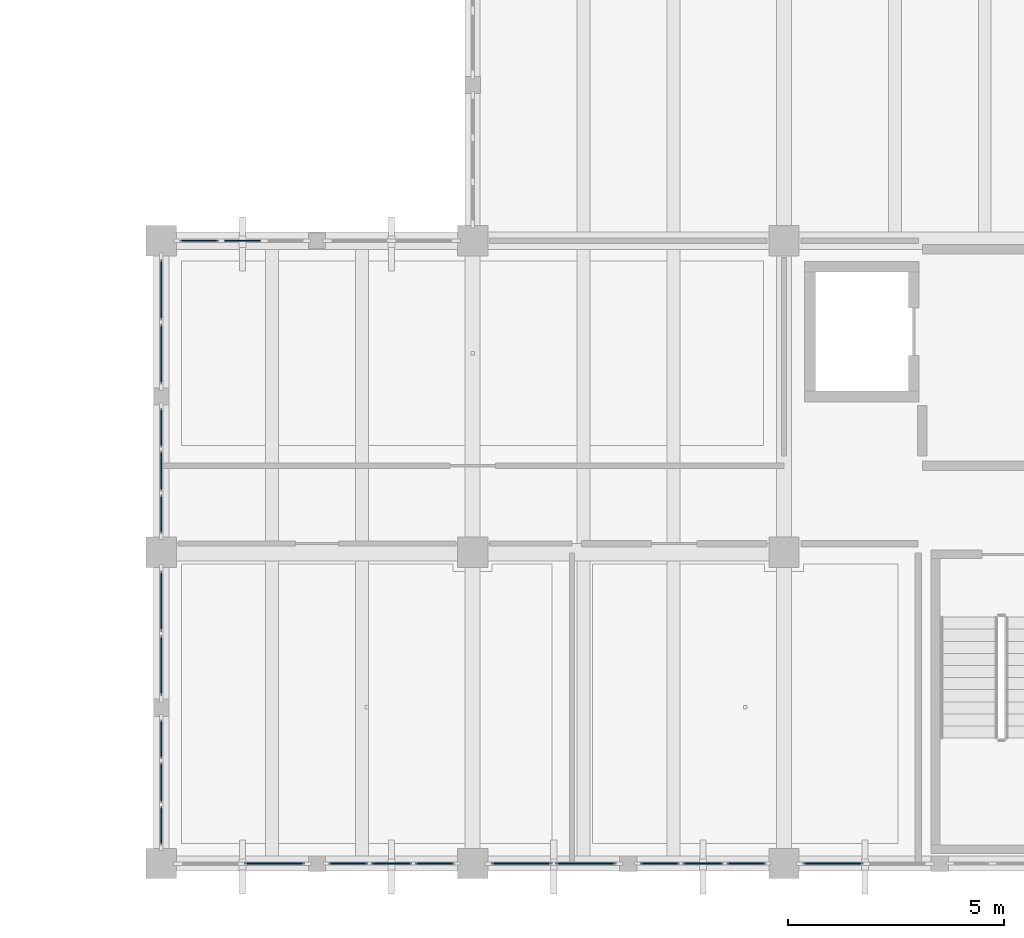
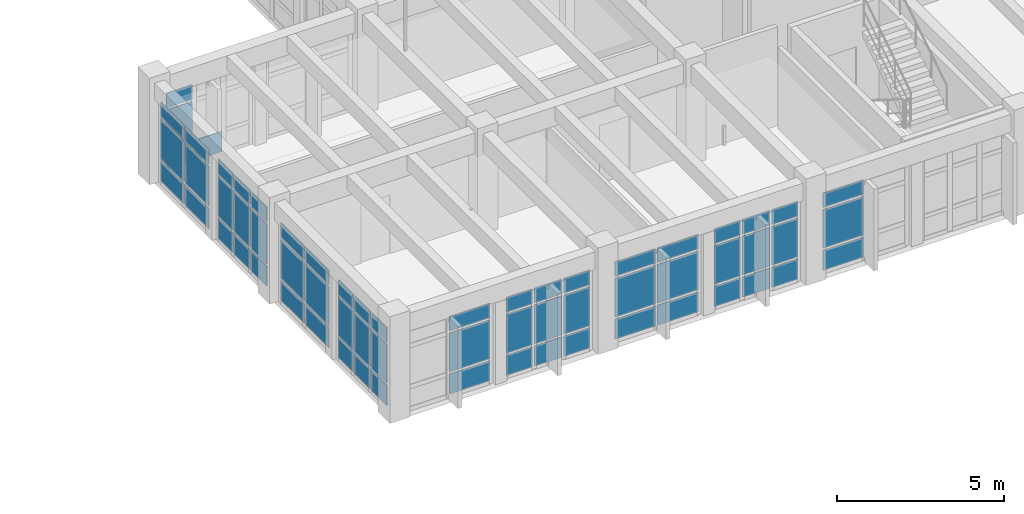
# One storey, part 25 of 54: 64 plates, 10 elements without a shape of their own.
"""IFC4 building model written with IfcOpenShell, lengths in metres."""

from ifc_helpers import new_model, si_unit, direction, frame, origin, origin_2d, place, context, subcontext, project, spatial, rectangle, extrude, material, layer, layer_set, type_object, element, aggregate, save


model = new_model("IFC4")

# Units and contexts
model_context = context("Model", 3, precision=1e-05, world=origin(), true_north=direction((0.0, 1.0)))
body_context = subcontext(model_context, "Body", "Model", "MODEL_VIEW")
ifc_project = project(units=[si_unit("LENGTHUNIT", "METRE"), si_unit("AREAUNIT", "SQUARE_METRE"), si_unit("VOLUMEUNIT", "CUBIC_METRE"), si_unit("PLANEANGLEUNIT", "RADIAN"), si_unit("MASSUNIT", "GRAM", prefix="KILO")], contexts=[model_context])

# Site, building, storey
site_placement = place(None, origin())
site = spatial("IfcSite", under=ifc_project, at=site_placement, CompositionType="ELEMENT")
building_placement = place(site_placement, origin())
building = spatial("IfcBuilding", under=site, at=building_placement, Name="Koriwan Promenade Central Fire Station", CompositionType="ELEMENT")
storey_placement = place(building_placement, frame((0.0, 0.0, 9.60009765625)))
storey = spatial("IfcBuildingStorey", under=building, at=storey_placement, Name="L02", CompositionType="ELEMENT", Elevation=9.60009765625)

# Curtain wall, plates
ifc_material_1 = material(Name="Aluminium EN AW-6063-T6 and low-E glazing", Category="aluminium")
ifc_layer_1 = layer(ifc_material_1, 0.159912109375, Name="Aluminium EN AW-6063-T6 and low-E glazing")
ifc_layer_set_1 = layer_set([ifc_layer_1], Name="Aluminium EN AW-6063-T6 and low-E glazing")
curtain_wall_type_1 = type_object("IfcCurtainWallType", Name="CurtainWall_10_305x299", PredefinedType="USERDEFINED", material=ifc_layer_set_1)
curtain_wall_1_placement = place(storey_placement, origin())
curtain_wall_1 = element("IfcCurtainWall", 1, at=curtain_wall_1_placement, inside=storey, type_object=curtain_wall_type_1, Name="V5 L02 unitised curtain wall 212", ObjectType="UNITISED CURTAIN WALL", PredefinedType="USERDEFINED")
ifc_material_2 = material(Name="Low-E laminated double glazing", Category="glass")
ifc_layer_2 = layer(ifc_material_2, 0.028076171875, Name="Low-E laminated double glazing")
ifc_layer_set_2 = layer_set([ifc_layer_2], Name="Low-E laminated double glazing")
plate_type_1 = type_object("IfcPlateType", Name="CWPanel_28", PredefinedType="CURTAIN_PANEL", material=ifc_layer_set_2)
plate_1_placement = place(storey_placement, frame((159.532470703125, 0.0, 0.079833984375), z_axis=(0.0, 0.0, 1.0), x_axis=(-1.0, 0.0, 0.0)))
plate_1 = element("IfcPlate", 2, at=plate_1_placement, type_object=plate_type_1, Name="CW-10 panel 2.1", PredefinedType="CURTAIN_PANEL", context=body_context, shape_type="SweptSolid", body=[
    extrude(rectangle(XDim=1.405029296875, YDim=0.028076171875, at=origin_2d()), origin(), (0.0, 0.0, 1.0), 0.72998046875),
])
plate_2_placement = place(storey_placement, frame((159.532470703125, 0.0, 0.89013671875), z_axis=(0.0, 0.0, 1.0), x_axis=(-1.0, 0.0, 0.0)))
plate_2 = element("IfcPlate", 3, at=plate_2_placement, type_object=plate_type_1, Name="CW-10 panel 2.2", PredefinedType="CURTAIN_PANEL", context=body_context, shape_type="SweptSolid", body=[
    extrude(rectangle(XDim=1.405029296875, YDim=0.028076171875, at=origin_2d()), origin(), (0.0, 0.0, 1.0), 1.409912109375),
])
plate_3_placement = place(storey_placement, frame((159.532470703125, 0.0, 2.3798828125), z_axis=(0.0, 0.0, 1.0), x_axis=(-1.0, 0.0, 0.0)))
plate_3 = element("IfcPlate", 4, at=plate_3_placement, type_object=plate_type_1, Name="CW-10 panel 2.3", PredefinedType="CURTAIN_PANEL", context=body_context, shape_type="SweptSolid", body=[
    extrude(rectangle(XDim=1.405029296875, YDim=0.028076171875, at=origin_2d()), origin(), (0.0, 0.0, 1.0), 0.530029296875),
])
aggregate(curtain_wall_1, [plate_1, plate_2, plate_3])

curtain_wall_2_placement = place(storey_placement, origin())
curtain_wall_2 = element("IfcCurtainWall", 5, at=curtain_wall_2_placement, inside=storey, type_object=curtain_wall_type_1, Name="V5 L02 unitised curtain wall 214", ObjectType="UNITISED CURTAIN WALL", PredefinedType="USERDEFINED")
plate_4_placement = place(storey_placement, frame((153.8173828125, 0.0, 0.079833984375), z_axis=(0.0, 0.0, 1.0), x_axis=(-1.0, 0.0, 0.0)))
plate_4 = element("IfcPlate", 6, at=plate_4_placement, type_object=plate_type_1, Name="CW-10 panel 1.1", PredefinedType="CURTAIN_PANEL", context=body_context, shape_type="SweptSolid", body=[
    extrude(rectangle(XDim=1.405029296875, YDim=0.028076171875, at=origin_2d()), origin(), (0.0, 0.0, 1.0), 0.72998046875),
])
plate_5_placement = place(storey_placement, frame((153.8173828125, 0.0, 0.89013671875), z_axis=(0.0, 0.0, 1.0), x_axis=(-1.0, 0.0, 0.0)))
plate_5 = element("IfcPlate", 7, at=plate_5_placement, type_object=plate_type_1, Name="CW-10 panel 1.2", PredefinedType="CURTAIN_PANEL", context=body_context, shape_type="SweptSolid", body=[
    extrude(rectangle(XDim=1.405029296875, YDim=0.028076171875, at=origin_2d()), origin(), (0.0, 0.0, 1.0), 1.409912109375),
])
plate_6_placement = place(storey_placement, frame((153.8173828125, 0.0, 2.3798828125), z_axis=(0.0, 0.0, 1.0), x_axis=(-1.0, 0.0, 0.0)))
plate_6 = element("IfcPlate", 8, at=plate_6_placement, type_object=plate_type_1, Name="CW-10 panel 1.3", PredefinedType="CURTAIN_PANEL", context=body_context, shape_type="SweptSolid", body=[
    extrude(rectangle(XDim=1.405029296875, YDim=0.028076171875, at=origin_2d()), origin(), (0.0, 0.0, 1.0), 0.530029296875),
])
plate_7_placement = place(storey_placement, frame((152.33251953125, 0.0, 0.079833984375), z_axis=(0.0, 0.0, 1.0), x_axis=(-1.0, 0.0, 0.0)))
plate_7 = element("IfcPlate", 9, at=plate_7_placement, type_object=plate_type_1, Name="CW-10 panel 2.1", PredefinedType="CURTAIN_PANEL", context=body_context, shape_type="SweptSolid", body=[
    extrude(rectangle(XDim=1.405029296875, YDim=0.028076171875, at=origin_2d()), origin(), (0.0, 0.0, 1.0), 0.72998046875),
])
plate_8_placement = place(storey_placement, frame((152.33251953125, 0.0, 0.89013671875), z_axis=(0.0, 0.0, 1.0), x_axis=(-1.0, 0.0, 0.0)))
plate_8 = element("IfcPlate", 10, at=plate_8_placement, type_object=plate_type_1, Name="CW-10 panel 2.2", PredefinedType="CURTAIN_PANEL", context=body_context, shape_type="SweptSolid", body=[
    extrude(rectangle(XDim=1.405029296875, YDim=0.028076171875, at=origin_2d()), origin(), (0.0, 0.0, 1.0), 1.409912109375),
])
plate_9_placement = place(storey_placement, frame((152.33251953125, 0.0, 2.3798828125), z_axis=(0.0, 0.0, 1.0), x_axis=(-1.0, 0.0, 0.0)))
plate_9 = element("IfcPlate", 11, at=plate_9_placement, type_object=plate_type_1, Name="CW-10 panel 2.3", PredefinedType="CURTAIN_PANEL", context=body_context, shape_type="SweptSolid", body=[
    extrude(rectangle(XDim=1.405029296875, YDim=0.028076171875, at=origin_2d()), origin(), (0.0, 0.0, 1.0), 0.530029296875),
])
aggregate(curtain_wall_2, [plate_4, plate_5, plate_6, plate_7, plate_8, plate_9])

ifc_layer_3 = layer(ifc_material_1, 0.159912109375, Name="Aluminium EN AW-6063-T6 and low-E glazing")
ifc_layer_set_3 = layer_set([ifc_layer_3], Name="Aluminium EN AW-6063-T6 and low-E glazing")
curtain_wall_type_2 = type_object("IfcCurtainWallType", Name="CurtainWall_75_305x300", PredefinedType="USERDEFINED", material=ifc_layer_set_3)
curtain_wall_3_placement = place(storey_placement, origin())
curtain_wall_3 = element("IfcCurtainWall", 12, at=curtain_wall_3_placement, inside=storey, type_object=curtain_wall_type_2, Name="V5 L02 unitised curtain wall 216", ObjectType="UNITISED CURTAIN WALL", PredefinedType="USERDEFINED")
plate_10_placement = place(storey_placement, frame((146.617431640625, 0.0, 0.079833984375), z_axis=(0.0, 0.0, 1.0), x_axis=(-1.0, 0.0, 0.0)))
plate_10 = element("IfcPlate", 13, at=plate_10_placement, type_object=plate_type_1, Name="CW-75 panel 1.1", PredefinedType="CURTAIN_PANEL", context=body_context, shape_type="SweptSolid", body=[
    extrude(rectangle(XDim=1.405029296875, YDim=0.028076171875, at=origin_2d()), origin(), (0.0, 0.0, 1.0), 0.72998046875),
])
plate_11_placement = place(storey_placement, frame((146.617431640625, 0.0, 0.889892578125), z_axis=(0.0, 0.0, 1.0), x_axis=(-1.0, 0.0, 0.0)))
plate_11 = element("IfcPlate", 14, at=plate_11_placement, type_object=plate_type_1, Name="CW-75 panel 1.2", PredefinedType="CURTAIN_PANEL", context=body_context, shape_type="SweptSolid", body=[
    extrude(rectangle(XDim=1.405029296875, YDim=0.028076171875, at=origin_2d()), origin(), (0.0, 0.0, 1.0), 1.419921875),
])
plate_12_placement = place(storey_placement, frame((146.617431640625, 0.0, 2.3896484375), z_axis=(0.0, 0.0, 1.0), x_axis=(-1.0, 0.0, 0.0)))
plate_12 = element("IfcPlate", 15, at=plate_12_placement, type_object=plate_type_1, Name="CW-75 panel 1.3", PredefinedType="CURTAIN_PANEL", context=body_context, shape_type="SweptSolid", body=[
    extrude(rectangle(XDim=1.405029296875, YDim=0.028076171875, at=origin_2d()), origin(), (0.0, 0.0, 1.0), 0.530029296875),
])
aggregate(curtain_wall_3, [plate_10, plate_11, plate_12])

curtain_wall_4_placement = place(storey_placement, origin())
curtain_wall_4 = element("IfcCurtainWall", 16, at=curtain_wall_4_placement, inside=storey, type_object=curtain_wall_type_2, Name="V5 L02 unitised curtain wall 218", ObjectType="UNITISED CURTAIN WALL", PredefinedType="USERDEFINED")
plate_13_placement = place(storey_placement, frame((144.0, 4.58251953125, 0.079833984375), z_axis=(0.0, 0.0, 1.0), x_axis=(0.0, 1.0, 0.0)))
plate_13 = element("IfcPlate", 17, at=plate_13_placement, type_object=plate_type_1, Name="CW-75 panel 1.1", PredefinedType="CURTAIN_PANEL", context=body_context, shape_type="SweptSolid", body=[
    extrude(rectangle(XDim=1.405029296875, YDim=0.028076171875, at=origin_2d()), origin(), (0.0, 0.0, 1.0), 0.72998046875),
])
plate_14_placement = place(storey_placement, frame((144.0, 4.58251953125, 0.889892578125), z_axis=(0.0, 0.0, 1.0), x_axis=(0.0, 1.0, 0.0)))
plate_14 = element("IfcPlate", 18, at=plate_14_placement, type_object=plate_type_1, Name="CW-75 panel 1.2", PredefinedType="CURTAIN_PANEL", context=body_context, shape_type="SweptSolid", body=[
    extrude(rectangle(XDim=1.405029296875, YDim=0.028076171875, at=origin_2d()), origin(), (0.0, 0.0, 1.0), 1.419921875),
])
plate_15_placement = place(storey_placement, frame((144.0, 4.58251953125, 2.3896484375), z_axis=(0.0, 0.0, 1.0), x_axis=(0.0, 1.0, 0.0)))
plate_15 = element("IfcPlate", 19, at=plate_15_placement, type_object=plate_type_1, Name="CW-75 panel 1.3", PredefinedType="CURTAIN_PANEL", context=body_context, shape_type="SweptSolid", body=[
    extrude(rectangle(XDim=1.405029296875, YDim=0.028076171875, at=origin_2d()), origin(), (0.0, 0.0, 1.0), 0.530029296875),
])
plate_16_placement = place(storey_placement, frame((144.0, 6.0673828125, 0.079833984375), z_axis=(0.0, 0.0, 1.0), x_axis=(0.0, 1.0, 0.0)))
plate_16 = element("IfcPlate", 20, at=plate_16_placement, type_object=plate_type_1, Name="CW-75 panel 2.1", PredefinedType="CURTAIN_PANEL", context=body_context, shape_type="SweptSolid", body=[
    extrude(rectangle(XDim=1.405029296875, YDim=0.028076171875, at=origin_2d()), origin(), (0.0, 0.0, 1.0), 0.72998046875),
])
plate_17_placement = place(storey_placement, frame((144.0, 6.0673828125, 0.889892578125), z_axis=(0.0, 0.0, 1.0), x_axis=(0.0, 1.0, 0.0)))
plate_17 = element("IfcPlate", 21, at=plate_17_placement, type_object=plate_type_1, Name="CW-75 panel 2.2", PredefinedType="CURTAIN_PANEL", context=body_context, shape_type="SweptSolid", body=[
    extrude(rectangle(XDim=1.405029296875, YDim=0.028076171875, at=origin_2d()), origin(), (0.0, 0.0, 1.0), 1.419921875),
])
plate_18_placement = place(storey_placement, frame((144.0, 6.0673828125, 2.3896484375), z_axis=(0.0, 0.0, 1.0), x_axis=(0.0, 1.0, 0.0)))
plate_18 = element("IfcPlate", 22, at=plate_18_placement, type_object=plate_type_1, Name="CW-75 panel 2.3", PredefinedType="CURTAIN_PANEL", context=body_context, shape_type="SweptSolid", body=[
    extrude(rectangle(XDim=1.405029296875, YDim=0.028076171875, at=origin_2d()), origin(), (0.0, 0.0, 1.0), 0.530029296875),
])
aggregate(curtain_wall_4, [plate_13, plate_14, plate_15, plate_16, plate_17, plate_18])

ifc_layer_4 = layer(ifc_material_1, 0.159912109375, Name="Aluminium EN AW-6063-T6 and low-E glazing")
ifc_layer_set_4 = layer_set([ifc_layer_4], Name="Aluminium EN AW-6063-T6 and low-E glazing")
curtain_wall_type_3 = type_object("IfcCurtainWallType", Name="CurtainWall_77_305x305", PredefinedType="USERDEFINED", material=ifc_layer_set_4)
curtain_wall_5_placement = place(storey_placement, origin())
curtain_wall_5 = element("IfcCurtainWall", 23, at=curtain_wall_5_placement, inside=storey, type_object=curtain_wall_type_3, Name="V5 L02 unitised curtain wall 220", ObjectType="UNITISED CURTAIN WALL", PredefinedType="USERDEFINED")
plate_19_placement = place(storey_placement, frame((144.0, 11.782470703125, 0.079833984375), z_axis=(0.0, 0.0, 1.0), x_axis=(0.0, 1.0, 0.0)))
plate_19 = element("IfcPlate", 24, at=plate_19_placement, type_object=plate_type_1, Name="CW-77 panel 1.1", PredefinedType="CURTAIN_PANEL", context=body_context, shape_type="SweptSolid", body=[
    extrude(rectangle(XDim=1.405029296875, YDim=0.028076171875, at=origin_2d()), origin(), (0.0, 0.0, 1.0), 0.72998046875),
])
plate_20_placement = place(storey_placement, frame((144.0, 11.782470703125, 0.89013671875), z_axis=(0.0, 0.0, 1.0), x_axis=(0.0, 1.0, 0.0)))
plate_20 = element("IfcPlate", 25, at=plate_20_placement, type_object=plate_type_1, Name="CW-77 panel 1.2", PredefinedType="CURTAIN_PANEL", context=body_context, shape_type="SweptSolid", body=[
    extrude(rectangle(XDim=1.405029296875, YDim=0.028076171875, at=origin_2d()), origin(), (0.0, 0.0, 1.0), 1.469970703125),
])
plate_21_placement = place(storey_placement, frame((144.0, 11.782470703125, 2.43994140625), z_axis=(0.0, 0.0, 1.0), x_axis=(0.0, 1.0, 0.0)))
plate_21 = element("IfcPlate", 26, at=plate_21_placement, type_object=plate_type_1, Name="CW-77 panel 1.3", PredefinedType="CURTAIN_PANEL", context=body_context, shape_type="SweptSolid", body=[
    extrude(rectangle(XDim=1.405029296875, YDim=0.028076171875, at=origin_2d()), origin(), (0.0, 0.0, 1.0), 0.530029296875),
])
plate_22_placement = place(storey_placement, frame((144.0, 13.267578125, 0.079833984375), z_axis=(0.0, 0.0, 1.0), x_axis=(0.0, 1.0, 0.0)))
plate_22 = element("IfcPlate", 27, at=plate_22_placement, type_object=plate_type_1, Name="CW-77 panel 2.1", PredefinedType="CURTAIN_PANEL", context=body_context, shape_type="SweptSolid", body=[
    extrude(rectangle(XDim=1.405029296875, YDim=0.028076171875, at=origin_2d()), origin(), (0.0, 0.0, 1.0), 0.72998046875),
])
plate_23_placement = place(storey_placement, frame((144.0, 13.267578125, 0.89013671875), z_axis=(0.0, 0.0, 1.0), x_axis=(0.0, 1.0, 0.0)))
plate_23 = element("IfcPlate", 28, at=plate_23_placement, type_object=plate_type_1, Name="CW-77 panel 2.2", PredefinedType="CURTAIN_PANEL", context=body_context, shape_type="SweptSolid", body=[
    extrude(rectangle(XDim=1.405029296875, YDim=0.028076171875, at=origin_2d()), origin(), (0.0, 0.0, 1.0), 1.469970703125),
])
plate_24_placement = place(storey_placement, frame((144.0, 13.267578125, 2.43994140625), z_axis=(0.0, 0.0, 1.0), x_axis=(0.0, 1.0, 0.0)))
plate_24 = element("IfcPlate", 29, at=plate_24_placement, type_object=plate_type_1, Name="CW-77 panel 2.3", PredefinedType="CURTAIN_PANEL", context=body_context, shape_type="SweptSolid", body=[
    extrude(rectangle(XDim=1.405029296875, YDim=0.028076171875, at=origin_2d()), origin(), (0.0, 0.0, 1.0), 0.530029296875),
])
aggregate(curtain_wall_5, [plate_19, plate_20, plate_21, plate_22, plate_23, plate_24])

ifc_layer_5 = layer(ifc_material_1, 0.159912109375, Name="Aluminium EN AW-6063-T6 and low-E glazing")
ifc_layer_set_5 = layer_set([ifc_layer_5], Name="Aluminium EN AW-6063-T6 and low-E glazing")
curtain_wall_type_4 = type_object("IfcCurtainWallType", Name="CurtainWall_73_305x299", PredefinedType="USERDEFINED", material=ifc_layer_set_5)
curtain_wall_6_placement = place(storey_placement, origin())
curtain_wall_6 = element("IfcCurtainWall", 30, at=curtain_wall_6_placement, inside=storey, type_object=curtain_wall_type_4, Name="V5 L02 unitised curtain wall 213", ObjectType="UNITISED CURTAIN WALL", PredefinedType="USERDEFINED")
ifc_material_3 = material(Name="Solar-control low-E acoustic glazing", Category="glass")
ifc_layer_6 = layer(ifc_material_3, 0.031982421875, Name="Solar-control low-E acoustic glazing")
ifc_layer_set_6 = layer_set([ifc_layer_6], Name="Solar-control low-E acoustic glazing")
plate_type_2 = type_object("IfcPlateType", Name="CWPanel_32", PredefinedType="CURTAIN_PANEL", material=ifc_layer_set_6)
plate_25_placement = place(storey_placement, frame((157.52294921875, 0.0, 0.07470703125), z_axis=(0.0, 0.0, 1.0), x_axis=(-1.0, 0.0, 0.0)))
plate_25 = element("IfcPlate", 31, at=plate_25_placement, type_object=plate_type_2, Name="CW-73 panel 1.1", PredefinedType="CURTAIN_PANEL", context=body_context, shape_type="SweptSolid", body=[
    extrude(rectangle(XDim=0.904052734375, YDim=0.031982421875, at=origin_2d()), origin(), (0.0, 0.0, 1.0), 0.737548828125),
])
plate_26_placement = place(storey_placement, frame((157.52294921875, 0.0, 0.887451171875), z_axis=(0.0, 0.0, 1.0), x_axis=(-1.0, 0.0, 0.0)))
plate_26 = element("IfcPlate", 32, at=plate_26_placement, type_object=plate_type_2, Name="CW-73 panel 1.2", PredefinedType="CURTAIN_PANEL", context=body_context, shape_type="SweptSolid", body=[
    extrude(rectangle(XDim=0.904052734375, YDim=0.031982421875, at=origin_2d()), origin(), (0.0, 0.0, 1.0), 1.4150390625),
])
plate_27_placement = place(storey_placement, frame((157.52294921875, 0.0, 2.37744140625), z_axis=(0.0, 0.0, 1.0), x_axis=(-1.0, 0.0, 0.0)))
plate_27 = element("IfcPlate", 33, at=plate_27_placement, type_object=plate_type_2, Name="CW-73 panel 1.3", PredefinedType="CURTAIN_PANEL", context=body_context, shape_type="SweptSolid", body=[
    extrude(rectangle(XDim=0.904052734375, YDim=0.031982421875, at=origin_2d()), origin(), (0.0, 0.0, 1.0), 0.53759765625),
])
plate_28_placement = place(storey_placement, frame((156.52490234375, 0.0, 0.07470703125), z_axis=(0.0, 0.0, 1.0), x_axis=(-1.0, 0.0, 0.0)))
plate_28 = element("IfcPlate", 34, at=plate_28_placement, type_object=plate_type_2, Name="CW-73 panel 2.1", PredefinedType="CURTAIN_PANEL", context=body_context, shape_type="SweptSolid", body=[
    extrude(rectangle(XDim=0.941650390625, YDim=0.031982421875, at=origin_2d()), origin(), (0.0, 0.0, 1.0), 0.737548828125),
])
plate_29_placement = place(storey_placement, frame((156.52490234375, 0.0, 0.887451171875), z_axis=(0.0, 0.0, 1.0), x_axis=(-1.0, 0.0, 0.0)))
plate_29 = element("IfcPlate", 35, at=plate_29_placement, type_object=plate_type_2, Name="CW-73 panel 2.2", PredefinedType="CURTAIN_PANEL", context=body_context, shape_type="SweptSolid", body=[
    extrude(rectangle(XDim=0.941650390625, YDim=0.031982421875, at=origin_2d()), origin(), (0.0, 0.0, 1.0), 1.4150390625),
])
plate_30_placement = place(storey_placement, frame((156.52490234375, 0.0, 2.37744140625), z_axis=(0.0, 0.0, 1.0), x_axis=(-1.0, 0.0, 0.0)))
plate_30 = element("IfcPlate", 36, at=plate_30_placement, type_object=plate_type_2, Name="CW-73 panel 2.3", PredefinedType="CURTAIN_PANEL", context=body_context, shape_type="SweptSolid", body=[
    extrude(rectangle(XDim=0.941650390625, YDim=0.031982421875, at=origin_2d()), origin(), (0.0, 0.0, 1.0), 0.53759765625),
])
plate_31_placement = place(storey_placement, frame((155.527099609375, 0.0, 0.07470703125), z_axis=(0.0, 0.0, 1.0), x_axis=(-1.0, 0.0, 0.0)))
plate_31 = element("IfcPlate", 37, at=plate_31_placement, type_object=plate_type_2, Name="CW-73 panel 3.1", PredefinedType="CURTAIN_PANEL", context=body_context, shape_type="SweptSolid", body=[
    extrude(rectangle(XDim=0.904052734375, YDim=0.031982421875, at=origin_2d()), origin(), (0.0, 0.0, 1.0), 0.737548828125),
])
plate_32_placement = place(storey_placement, frame((155.527099609375, 0.0, 0.887451171875), z_axis=(0.0, 0.0, 1.0), x_axis=(-1.0, 0.0, 0.0)))
plate_32 = element("IfcPlate", 38, at=plate_32_placement, type_object=plate_type_2, Name="CW-73 panel 3.2", PredefinedType="CURTAIN_PANEL", context=body_context, shape_type="SweptSolid", body=[
    extrude(rectangle(XDim=0.904052734375, YDim=0.031982421875, at=origin_2d()), origin(), (0.0, 0.0, 1.0), 1.4150390625),
])
plate_33_placement = place(storey_placement, frame((155.527099609375, 0.0, 2.37744140625), z_axis=(0.0, 0.0, 1.0), x_axis=(-1.0, 0.0, 0.0)))
plate_33 = element("IfcPlate", 39, at=plate_33_placement, type_object=plate_type_2, Name="CW-73 panel 3.3", PredefinedType="CURTAIN_PANEL", context=body_context, shape_type="SweptSolid", body=[
    extrude(rectangle(XDim=0.904052734375, YDim=0.031982421875, at=origin_2d()), origin(), (0.0, 0.0, 1.0), 0.53759765625),
])
aggregate(curtain_wall_6, [plate_25, plate_26, plate_27, plate_28, plate_29, plate_30, plate_31, plate_32, plate_33])

ifc_layer_7 = layer(ifc_material_1, 0.159912109375, Name="Aluminium EN AW-6063-T6 and low-E glazing")
ifc_layer_set_7 = layer_set([ifc_layer_7], Name="Aluminium EN AW-6063-T6 and low-E glazing")
curtain_wall_type_5 = type_object("IfcCurtainWallType", Name="CurtainWall_74_305x300", PredefinedType="USERDEFINED", material=ifc_layer_set_7)
curtain_wall_7_placement = place(storey_placement, origin())
curtain_wall_7 = element("IfcCurtainWall", 40, at=curtain_wall_7_placement, inside=storey, type_object=curtain_wall_type_5, Name="V5 L02 unitised curtain wall 215", ObjectType="UNITISED CURTAIN WALL", PredefinedType="USERDEFINED")
plate_34_placement = place(storey_placement, frame((150.322998046875, 0.0, 0.07470703125), z_axis=(0.0, 0.0, 1.0), x_axis=(-1.0, 0.0, 0.0)))
plate_34 = element("IfcPlate", 41, at=plate_34_placement, type_object=plate_type_2, Name="CW-74 panel 1.1", PredefinedType="CURTAIN_PANEL", context=body_context, shape_type="SweptSolid", body=[
    extrude(rectangle(XDim=0.904052734375, YDim=0.031982421875, at=origin_2d()), origin(), (0.0, 0.0, 1.0), 0.737548828125),
])
plate_35_placement = place(storey_placement, frame((150.322998046875, 0.0, 0.88720703125), z_axis=(0.0, 0.0, 1.0), x_axis=(-1.0, 0.0, 0.0)))
plate_35 = element("IfcPlate", 42, at=plate_35_placement, type_object=plate_type_2, Name="CW-74 panel 1.2", PredefinedType="CURTAIN_PANEL", context=body_context, shape_type="SweptSolid", body=[
    extrude(rectangle(XDim=0.904052734375, YDim=0.031982421875, at=origin_2d()), origin(), (0.0, 0.0, 1.0), 1.425048828125),
])
plate_36_placement = place(storey_placement, frame((150.322998046875, 0.0, 2.387451171875), z_axis=(0.0, 0.0, 1.0), x_axis=(-1.0, 0.0, 0.0)))
plate_36 = element("IfcPlate", 43, at=plate_36_placement, type_object=plate_type_2, Name="CW-74 panel 1.3", PredefinedType="CURTAIN_PANEL", context=body_context, shape_type="SweptSolid", body=[
    extrude(rectangle(XDim=0.904052734375, YDim=0.031982421875, at=origin_2d()), origin(), (0.0, 0.0, 1.0), 0.53759765625),
])
plate_37_placement = place(storey_placement, frame((149.324951171875, 0.0, 0.07470703125), z_axis=(0.0, 0.0, 1.0), x_axis=(-1.0, 0.0, 0.0)))
plate_37 = element("IfcPlate", 44, at=plate_37_placement, type_object=plate_type_2, Name="CW-74 panel 2.1", PredefinedType="CURTAIN_PANEL", context=body_context, shape_type="SweptSolid", body=[
    extrude(rectangle(XDim=0.941650390625, YDim=0.031982421875, at=origin_2d()), origin(), (0.0, 0.0, 1.0), 0.737548828125),
])
plate_38_placement = place(storey_placement, frame((149.324951171875, 0.0, 0.88720703125), z_axis=(0.0, 0.0, 1.0), x_axis=(-1.0, 0.0, 0.0)))
plate_38 = element("IfcPlate", 45, at=plate_38_placement, type_object=plate_type_2, Name="CW-74 panel 2.2", PredefinedType="CURTAIN_PANEL", context=body_context, shape_type="SweptSolid", body=[
    extrude(rectangle(XDim=0.941650390625, YDim=0.031982421875, at=origin_2d()), origin(), (0.0, 0.0, 1.0), 1.425048828125),
])
plate_39_placement = place(storey_placement, frame((149.324951171875, 0.0, 2.387451171875), z_axis=(0.0, 0.0, 1.0), x_axis=(-1.0, 0.0, 0.0)))
plate_39 = element("IfcPlate", 46, at=plate_39_placement, type_object=plate_type_2, Name="CW-74 panel 2.3", PredefinedType="CURTAIN_PANEL", context=body_context, shape_type="SweptSolid", body=[
    extrude(rectangle(XDim=0.941650390625, YDim=0.031982421875, at=origin_2d()), origin(), (0.0, 0.0, 1.0), 0.53759765625),
])
plate_40_placement = place(storey_placement, frame((148.3271484375, 0.0, 0.07470703125), z_axis=(0.0, 0.0, 1.0), x_axis=(-1.0, 0.0, 0.0)))
plate_40 = element("IfcPlate", 47, at=plate_40_placement, type_object=plate_type_2, Name="CW-74 panel 3.1", PredefinedType="CURTAIN_PANEL", context=body_context, shape_type="SweptSolid", body=[
    extrude(rectangle(XDim=0.904052734375, YDim=0.031982421875, at=origin_2d()), origin(), (0.0, 0.0, 1.0), 0.737548828125),
])
plate_41_placement = place(storey_placement, frame((148.3271484375, 0.0, 0.88720703125), z_axis=(0.0, 0.0, 1.0), x_axis=(-1.0, 0.0, 0.0)))
plate_41 = element("IfcPlate", 48, at=plate_41_placement, type_object=plate_type_2, Name="CW-74 panel 3.2", PredefinedType="CURTAIN_PANEL", context=body_context, shape_type="SweptSolid", body=[
    extrude(rectangle(XDim=0.904052734375, YDim=0.031982421875, at=origin_2d()), origin(), (0.0, 0.0, 1.0), 1.425048828125),
])
plate_42_placement = place(storey_placement, frame((148.3271484375, 0.0, 2.387451171875), z_axis=(0.0, 0.0, 1.0), x_axis=(-1.0, 0.0, 0.0)))
plate_42 = element("IfcPlate", 49, at=plate_42_placement, type_object=plate_type_2, Name="CW-74 panel 3.3", PredefinedType="CURTAIN_PANEL", context=body_context, shape_type="SweptSolid", body=[
    extrude(rectangle(XDim=0.904052734375, YDim=0.031982421875, at=origin_2d()), origin(), (0.0, 0.0, 1.0), 0.53759765625),
])
aggregate(curtain_wall_7, [plate_34, plate_35, plate_36, plate_37, plate_38, plate_39, plate_40, plate_41, plate_42])

curtain_wall_8_placement = place(storey_placement, origin())
curtain_wall_8 = element("IfcCurtainWall", 50, at=curtain_wall_8_placement, inside=storey, type_object=curtain_wall_type_5, Name="V5 L02 unitised curtain wall 217", ObjectType="UNITISED CURTAIN WALL", PredefinedType="USERDEFINED")
plate_43_placement = place(storey_placement, frame((144.0, 0.877197265625, 0.07470703125), z_axis=(0.0, 0.0, 1.0), x_axis=(0.0, 1.0, 0.0)))
plate_43 = element("IfcPlate", 51, at=plate_43_placement, type_object=plate_type_2, Name="CW-74 panel 1.1", PredefinedType="CURTAIN_PANEL", context=body_context, shape_type="SweptSolid", body=[
    extrude(rectangle(XDim=0.904052734375, YDim=0.031982421875, at=origin_2d()), origin(), (0.0, 0.0, 1.0), 0.737548828125),
])
plate_44_placement = place(storey_placement, frame((144.0, 0.877197265625, 0.88720703125), z_axis=(0.0, 0.0, 1.0), x_axis=(0.0, 1.0, 0.0)))
plate_44 = element("IfcPlate", 52, at=plate_44_placement, type_object=plate_type_2, Name="CW-74 panel 1.2", PredefinedType="CURTAIN_PANEL", context=body_context, shape_type="SweptSolid", body=[
    extrude(rectangle(XDim=0.904052734375, YDim=0.031982421875, at=origin_2d()), origin(), (0.0, 0.0, 1.0), 1.425048828125),
])
plate_45_placement = place(storey_placement, frame((144.0, 0.877197265625, 2.387451171875), z_axis=(0.0, 0.0, 1.0), x_axis=(0.0, 1.0, 0.0)))
plate_45 = element("IfcPlate", 53, at=plate_45_placement, type_object=plate_type_2, Name="CW-74 panel 1.3", PredefinedType="CURTAIN_PANEL", context=body_context, shape_type="SweptSolid", body=[
    extrude(rectangle(XDim=0.904052734375, YDim=0.031982421875, at=origin_2d()), origin(), (0.0, 0.0, 1.0), 0.53759765625),
])
plate_46_placement = place(storey_placement, frame((144.0, 1.875, 0.07470703125), z_axis=(0.0, 0.0, 1.0), x_axis=(0.0, 1.0, 0.0)))
plate_46 = element("IfcPlate", 54, at=plate_46_placement, type_object=plate_type_2, Name="CW-74 panel 2.1", PredefinedType="CURTAIN_PANEL", context=body_context, shape_type="SweptSolid", body=[
    extrude(rectangle(XDim=0.941650390625, YDim=0.031982421875, at=origin_2d()), origin(), (0.0, 0.0, 1.0), 0.737548828125),
])
plate_47_placement = place(storey_placement, frame((144.0, 1.875, 0.88720703125), z_axis=(0.0, 0.0, 1.0), x_axis=(0.0, 1.0, 0.0)))
plate_47 = element("IfcPlate", 55, at=plate_47_placement, type_object=plate_type_2, Name="CW-74 panel 2.2", PredefinedType="CURTAIN_PANEL", context=body_context, shape_type="SweptSolid", body=[
    extrude(rectangle(XDim=0.941650390625, YDim=0.031982421875, at=origin_2d()), origin(), (0.0, 0.0, 1.0), 1.425048828125),
])
plate_48_placement = place(storey_placement, frame((144.0, 1.875, 2.387451171875), z_axis=(0.0, 0.0, 1.0), x_axis=(0.0, 1.0, 0.0)))
plate_48 = element("IfcPlate", 56, at=plate_48_placement, type_object=plate_type_2, Name="CW-74 panel 2.3", PredefinedType="CURTAIN_PANEL", context=body_context, shape_type="SweptSolid", body=[
    extrude(rectangle(XDim=0.941650390625, YDim=0.031982421875, at=origin_2d()), origin(), (0.0, 0.0, 1.0), 0.53759765625),
])
plate_49_placement = place(storey_placement, frame((144.0, 2.872802734375, 0.07470703125), z_axis=(0.0, 0.0, 1.0), x_axis=(0.0, 1.0, 0.0)))
plate_49 = element("IfcPlate", 57, at=plate_49_placement, type_object=plate_type_2, Name="CW-74 panel 3.1", PredefinedType="CURTAIN_PANEL", context=body_context, shape_type="SweptSolid", body=[
    extrude(rectangle(XDim=0.904052734375, YDim=0.031982421875, at=origin_2d()), origin(), (0.0, 0.0, 1.0), 0.737548828125),
])
plate_50_placement = place(storey_placement, frame((144.0, 2.872802734375, 0.88720703125), z_axis=(0.0, 0.0, 1.0), x_axis=(0.0, 1.0, 0.0)))
plate_50 = element("IfcPlate", 58, at=plate_50_placement, type_object=plate_type_2, Name="CW-74 panel 3.2", PredefinedType="CURTAIN_PANEL", context=body_context, shape_type="SweptSolid", body=[
    extrude(rectangle(XDim=0.904052734375, YDim=0.031982421875, at=origin_2d()), origin(), (0.0, 0.0, 1.0), 1.425048828125),
])
plate_51_placement = place(storey_placement, frame((144.0, 2.872802734375, 2.387451171875), z_axis=(0.0, 0.0, 1.0), x_axis=(0.0, 1.0, 0.0)))
plate_51 = element("IfcPlate", 59, at=plate_51_placement, type_object=plate_type_2, Name="CW-74 panel 3.3", PredefinedType="CURTAIN_PANEL", context=body_context, shape_type="SweptSolid", body=[
    extrude(rectangle(XDim=0.904052734375, YDim=0.031982421875, at=origin_2d()), origin(), (0.0, 0.0, 1.0), 0.53759765625),
])
aggregate(curtain_wall_8, [plate_43, plate_44, plate_45, plate_46, plate_47, plate_48, plate_49, plate_50, plate_51])

ifc_layer_8 = layer(ifc_material_1, 0.159912109375, Name="Aluminium EN AW-6063-T6 and low-E glazing")
ifc_layer_set_8 = layer_set([ifc_layer_8], Name="Aluminium EN AW-6063-T6 and low-E glazing")
curtain_wall_type_6 = type_object("IfcCurtainWallType", Name="CurtainWall_76_305x305", PredefinedType="USERDEFINED", material=ifc_layer_set_8)
curtain_wall_9_placement = place(storey_placement, origin())
curtain_wall_9 = element("IfcCurtainWall", 60, at=curtain_wall_9_placement, inside=storey, type_object=curtain_wall_type_6, Name="V5 L02 unitised curtain wall 219", ObjectType="UNITISED CURTAIN WALL", PredefinedType="USERDEFINED")
plate_52_placement = place(storey_placement, frame((144.0, 8.0771484375, 0.07470703125), z_axis=(0.0, 0.0, 1.0), x_axis=(0.0, 1.0, 0.0)))
plate_52 = element("IfcPlate", 61, at=plate_52_placement, type_object=plate_type_2, Name="CW-76 panel 1.1", PredefinedType="CURTAIN_PANEL", context=body_context, shape_type="SweptSolid", body=[
    extrude(rectangle(XDim=0.904052734375, YDim=0.031982421875, at=origin_2d()), origin(), (0.0, 0.0, 1.0), 0.737548828125),
])
plate_53_placement = place(storey_placement, frame((144.0, 8.0771484375, 0.887451171875), z_axis=(0.0, 0.0, 1.0), x_axis=(0.0, 1.0, 0.0)))
plate_53 = element("IfcPlate", 62, at=plate_53_placement, type_object=plate_type_2, Name="CW-76 panel 1.2", PredefinedType="CURTAIN_PANEL", context=body_context, shape_type="SweptSolid", body=[
    extrude(rectangle(XDim=0.904052734375, YDim=0.031982421875, at=origin_2d()), origin(), (0.0, 0.0, 1.0), 1.47509765625),
])
plate_54_placement = place(storey_placement, frame((144.0, 8.0771484375, 2.437255859375), z_axis=(0.0, 0.0, 1.0), x_axis=(0.0, 1.0, 0.0)))
plate_54 = element("IfcPlate", 63, at=plate_54_placement, type_object=plate_type_2, Name="CW-76 panel 1.3", PredefinedType="CURTAIN_PANEL", context=body_context, shape_type="SweptSolid", body=[
    extrude(rectangle(XDim=0.904052734375, YDim=0.031982421875, at=origin_2d()), origin(), (0.0, 0.0, 1.0), 0.53759765625),
])
plate_55_placement = place(storey_placement, frame((144.0, 9.074951171875, 0.07470703125), z_axis=(0.0, 0.0, 1.0), x_axis=(0.0, 1.0, 0.0)))
plate_55 = element("IfcPlate", 64, at=plate_55_placement, type_object=plate_type_2, Name="CW-76 panel 2.1", PredefinedType="CURTAIN_PANEL", context=body_context, shape_type="SweptSolid", body=[
    extrude(rectangle(XDim=0.941650390625, YDim=0.031982421875, at=origin_2d()), origin(), (0.0, 0.0, 1.0), 0.737548828125),
])
plate_56_placement = place(storey_placement, frame((144.0, 9.074951171875, 0.887451171875), z_axis=(0.0, 0.0, 1.0), x_axis=(0.0, 1.0, 0.0)))
plate_56 = element("IfcPlate", 65, at=plate_56_placement, type_object=plate_type_2, Name="CW-76 panel 2.2", PredefinedType="CURTAIN_PANEL", context=body_context, shape_type="SweptSolid", body=[
    extrude(rectangle(XDim=0.941650390625, YDim=0.031982421875, at=origin_2d()), origin(), (0.0, 0.0, 1.0), 1.47509765625),
])
plate_57_placement = place(storey_placement, frame((144.0, 9.074951171875, 2.437255859375), z_axis=(0.0, 0.0, 1.0), x_axis=(0.0, 1.0, 0.0)))
plate_57 = element("IfcPlate", 66, at=plate_57_placement, type_object=plate_type_2, Name="CW-76 panel 2.3", PredefinedType="CURTAIN_PANEL", context=body_context, shape_type="SweptSolid", body=[
    extrude(rectangle(XDim=0.941650390625, YDim=0.031982421875, at=origin_2d()), origin(), (0.0, 0.0, 1.0), 0.53759765625),
])
plate_58_placement = place(storey_placement, frame((144.0, 10.072998046875, 0.07470703125), z_axis=(0.0, 0.0, 1.0), x_axis=(0.0, 1.0, 0.0)))
plate_58 = element("IfcPlate", 67, at=plate_58_placement, type_object=plate_type_2, Name="CW-76 panel 3.1", PredefinedType="CURTAIN_PANEL", context=body_context, shape_type="SweptSolid", body=[
    extrude(rectangle(XDim=0.904052734375, YDim=0.031982421875, at=origin_2d()), origin(), (0.0, 0.0, 1.0), 0.737548828125),
])
plate_59_placement = place(storey_placement, frame((144.0, 10.072998046875, 0.887451171875), z_axis=(0.0, 0.0, 1.0), x_axis=(0.0, 1.0, 0.0)))
plate_59 = element("IfcPlate", 68, at=plate_59_placement, type_object=plate_type_2, Name="CW-76 panel 3.2", PredefinedType="CURTAIN_PANEL", context=body_context, shape_type="SweptSolid", body=[
    extrude(rectangle(XDim=0.904052734375, YDim=0.031982421875, at=origin_2d()), origin(), (0.0, 0.0, 1.0), 1.47509765625),
])
plate_60_placement = place(storey_placement, frame((144.0, 10.072998046875, 2.437255859375), z_axis=(0.0, 0.0, 1.0), x_axis=(0.0, 1.0, 0.0)))
plate_60 = element("IfcPlate", 69, at=plate_60_placement, type_object=plate_type_2, Name="CW-76 panel 3.3", PredefinedType="CURTAIN_PANEL", context=body_context, shape_type="SweptSolid", body=[
    extrude(rectangle(XDim=0.904052734375, YDim=0.031982421875, at=origin_2d()), origin(), (0.0, 0.0, 1.0), 0.53759765625),
])
aggregate(curtain_wall_9, [plate_52, plate_53, plate_54, plate_55, plate_56, plate_57, plate_58, plate_59, plate_60])

ifc_layer_9 = layer(ifc_material_1, 0.159912109375, Name="Aluminium EN AW-6063-T6 and low-E glazing")
ifc_layer_set_9 = layer_set([ifc_layer_9], Name="Aluminium EN AW-6063-T6 and low-E glazing")
curtain_wall_type_7 = type_object("IfcCurtainWallType", Name="CurtainWall_78_305x295", PredefinedType="USERDEFINED", material=ifc_layer_set_9)
curtain_wall_10_placement = place(storey_placement, origin())
curtain_wall_10 = element("IfcCurtainWall", 70, at=curtain_wall_10_placement, inside=storey, type_object=curtain_wall_type_7, Name="V5 L02 unitised curtain wall 221", ObjectType="UNITISED CURTAIN WALL", PredefinedType="USERDEFINED")
plate_61_placement = place(storey_placement, frame((144.877197265625, 14.39990234375, 0.07470703125), z_axis=(0.0, 0.0, 1.0), x_axis=(1.0, 0.0, 0.0)))
plate_61 = element("IfcPlate", 71, at=plate_61_placement, type_object=plate_type_2, Name="CW-78 panel 1.1", PredefinedType="CURTAIN_PANEL", context=body_context, shape_type="SweptSolid", body=[
    extrude(rectangle(XDim=0.904052734375, YDim=0.031982421875, at=origin_2d()), origin(), (0.0, 0.0, 1.0), 0.737548828125),
])
plate_62_placement = place(storey_placement, frame((144.877197265625, 14.39990234375, 0.887451171875), z_axis=(0.0, 0.0, 1.0), x_axis=(1.0, 0.0, 0.0)))
plate_62 = element("IfcPlate", 72, at=plate_62_placement, type_object=plate_type_2, Name="CW-78 panel 1.2", PredefinedType="CURTAIN_PANEL", context=body_context, shape_type="SweptSolid", body=[
    extrude(rectangle(XDim=0.904052734375, YDim=0.031982421875, at=origin_2d()), origin(), (0.0, 0.0, 1.0), 1.375),
])
plate_63_placement = place(storey_placement, frame((144.877197265625, 14.39990234375, 2.33740234375), z_axis=(0.0, 0.0, 1.0), x_axis=(1.0, 0.0, 0.0)))
plate_63 = element("IfcPlate", 73, at=plate_63_placement, type_object=plate_type_2, Name="CW-78 panel 1.3", PredefinedType="CURTAIN_PANEL", context=body_context, shape_type="SweptSolid", body=[
    extrude(rectangle(XDim=0.904052734375, YDim=0.031982421875, at=origin_2d()), origin(), (0.0, 0.0, 1.0), 0.53759765625),
])
plate_64_placement = place(storey_placement, frame((145.875, 14.39990234375, 0.07470703125), z_axis=(0.0, 0.0, 1.0), x_axis=(1.0, 0.0, 0.0)))
plate_64 = element("IfcPlate", 74, at=plate_64_placement, type_object=plate_type_2, Name="CW-78 panel 2.1", PredefinedType="CURTAIN_PANEL", context=body_context, shape_type="SweptSolid", body=[
    extrude(rectangle(XDim=0.941650390625, YDim=0.031982421875, at=origin_2d()), origin(), (0.0, 0.0, 1.0), 0.737548828125),
])
aggregate(curtain_wall_10, [plate_61, plate_62, plate_63, plate_64])

save(model, "model.ifc")
